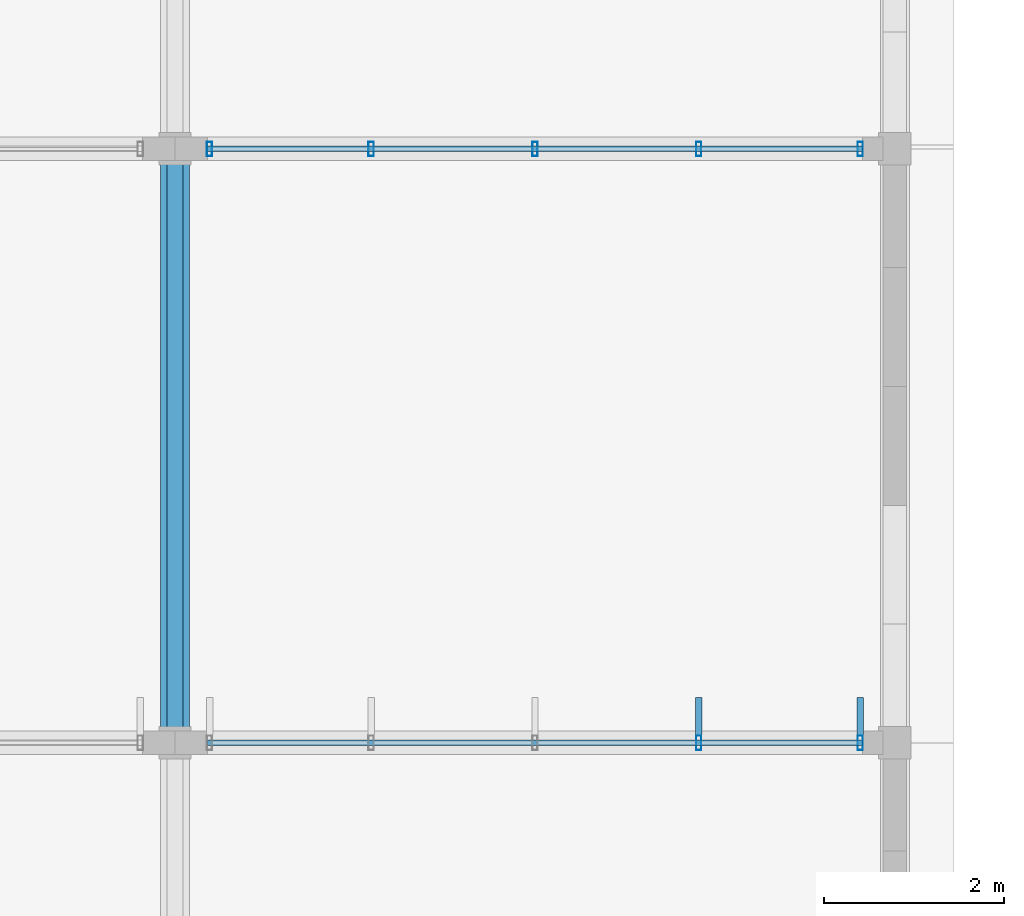
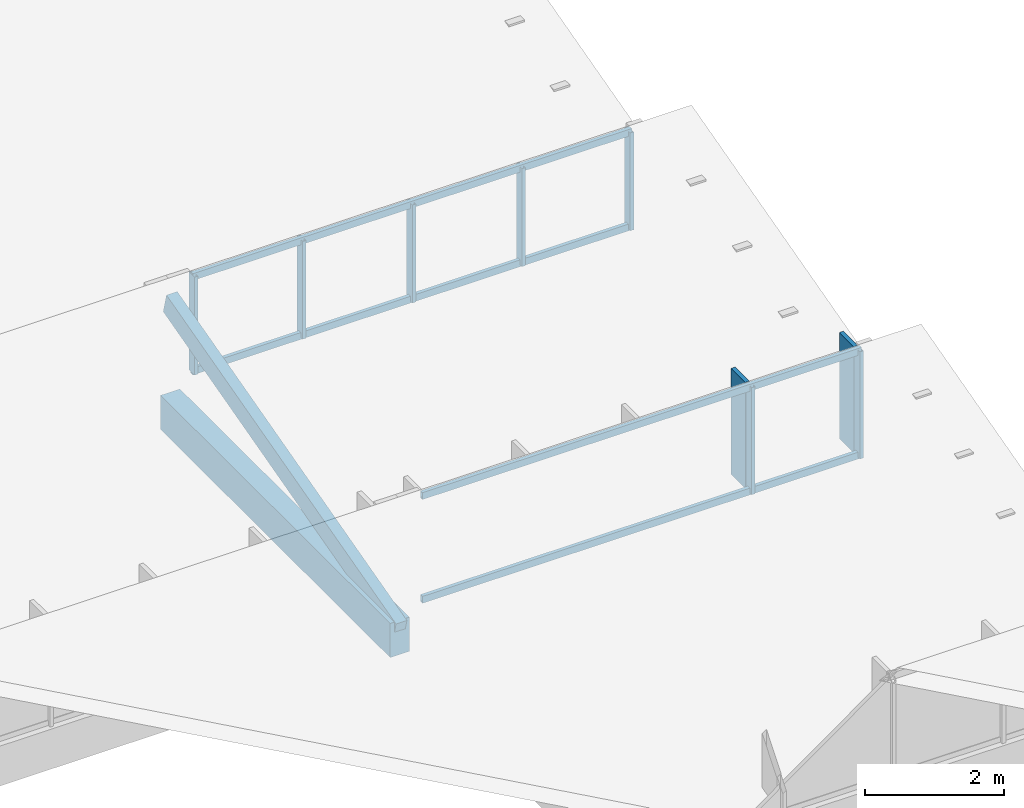
# One storey, part 17 of 94: 15 members, 2 elements without a shape of their own.
"""IFC4 building model written with IfcOpenShell, lengths in metres."""

import ifcopenshell
import ifcopenshell.guid

model = None  # the IFC model being written
_history = None  # IfcOwnerHistory: only IFC2X3 demands one
_inside = {}  # id of a spatial element -> (the spatial element, [elements in it])
_under = {}  # id of a project, library or spatial element -> (it, [spatial elements below it])
_declared = {}  # id of a project -> (the project, [libraries it declares])
_typed = {}  # id of a type object -> (the type object, [elements of that type])
_made_of = {}  # id of a material, layer set ... -> (it, [elements and type objects made of it])


def new_model(schema):
    """Start an empty IFC model of exactly this schema.

    Asked for "IFC4X3", IfcOpenShell would pick the latest addendum, in which some entities
    have other attributes; the version numbers below select the first issue.
    IFC2X3 requires an IfcOwnerHistory on every rooted entity: one is made here for all.
    """
    global model, _history
    if schema == "IFC4X3":
        model = ifcopenshell.file(schema_version=(4, 3, 0, 0))
    else:
        model = ifcopenshell.file(schema=schema)
    _inside.clear()
    _under.clear()
    _declared.clear()
    _typed.clear()
    _made_of.clear()
    _history = None
    if model.schema == "IFC2X3":
        org = make("IfcOrganization", Name="unknown")
        user = make(
            "IfcPersonAndOrganization",
            ThePerson=make("IfcPerson", FamilyName="unknown"),
            TheOrganization=org,
        )
        app = make(
            "IfcApplication",
            ApplicationDeveloper=org,
            Version="unknown",
            ApplicationFullName="unknown",
            ApplicationIdentifier="unknown",
        )
        _history = make(
            "IfcOwnerHistory",
            OwningUser=user,
            OwningApplication=app,
            ChangeAction="ADDED",
            CreationDate=0,
        )
    return model


def make(cls, **values):
    """One entity of the class cls with the attributes given. An attribute that is None is left unset."""
    return model.create_entity(
        cls, **{name: value for name, value in values.items() if value is not None}
    )


def rooted(cls, **values):
    """An entity with a GlobalId (a new one), such as an element, a storey or a relation."""
    return make(cls, GlobalId=ifcopenshell.guid.new(), OwnerHistory=_history, **values)


def si_unit(unit_type, name, prefix=None):
    """IfcSIUnit, for example si_unit("LENGTHUNIT", "METRE", prefix="MILLI")."""
    return make("IfcSIUnit", UnitType=unit_type, Prefix=prefix, Name=name)


def assignment(units):
    """IfcUnitAssignment: the units of a project."""
    return None if units is None else make("IfcUnitAssignment", Units=units)


def point(xyz):
    """IfcCartesianPoint."""
    return None if xyz is None else make("IfcCartesianPoint", Coordinates=xyz)


def direction(xyz):
    """IfcDirection."""
    return None if xyz is None else make("IfcDirection", DirectionRatios=xyz)


def frame(location, z_axis=None, x_axis=None):
    """IfcAxis2Placement3D, a coordinate frame: its origin and axes. An axis left out is left unset."""
    return make(
        "IfcAxis2Placement3D",
        Location=point(location),
        Axis=direction(z_axis),
        RefDirection=direction(x_axis),
    )


def frame_2d(location, x_axis=None):
    """IfcAxis2Placement2D, a coordinate frame in the plane: its origin and x axis."""
    return make(
        "IfcAxis2Placement2D", Location=point(location), RefDirection=direction(x_axis)
    )


def origin():
    """The frame at (0, 0, 0) with its axes left unset."""
    return frame((0.0, 0.0, 0.0))


def origin_2d():
    """The frame at (0, 0) in the plane with its x axis left unset."""
    return frame_2d((0.0, 0.0))


def place(relative_to, where):
    """IfcLocalPlacement: puts the frame where relative to a parent placement (None: the world)."""
    return make(
        "IfcLocalPlacement", PlacementRelTo=relative_to, RelativePlacement=where
    )


def context(
    kind, dimensions, precision=None, world=None, true_north=None, identifier=None
):
    """IfcGeometricRepresentationContext, for example the 3D "Model" context."""
    return make(
        "IfcGeometricRepresentationContext",
        ContextIdentifier=identifier,
        ContextType=kind,
        CoordinateSpaceDimension=dimensions,
        Precision=precision,
        WorldCoordinateSystem=world,
        TrueNorth=true_north,
    )


def subcontext(parent, identifier, kind, view, scale=None):
    """IfcGeometricRepresentationSubContext, for example "Body" below "Model"."""
    return make(
        "IfcGeometricRepresentationSubContext",
        ContextIdentifier=identifier,
        ContextType=kind,
        ParentContext=parent,
        TargetScale=scale,
        TargetView=view,
    )


def project(units=None, contexts=None):
    """IfcProject with its units and contexts."""
    return rooted(
        "IfcProject",
        Name="project",
        RepresentationContexts=contexts,
        UnitsInContext=assignment(units),
    )


def spatial(cls, under=None, at=None, **own):
    """A site, building, storey or space (cls), placed at a placement, below another one or the project."""
    s = rooted(cls, ObjectPlacement=at, **own)
    if under is not None:
        _under.setdefault(under.id(), (under, []))[1].append(s)
    return s


def profile(cls, at=None, kind="AREA", **sizes):
    """A parametric profile (cls). Its sizes go by their IFC names, for example OverallWidth=200.0."""
    return make(cls, ProfileType=kind, Position=at, **sizes)


def rectangle(**sizes):
    """IfcRectangleProfileDef."""
    return profile("IfcRectangleProfileDef", **sizes)


def hollow_rectangle(**sizes):
    """IfcRectangleHollowProfileDef."""
    return profile("IfcRectangleHollowProfileDef", **sizes)


def extrude(swept, where, along, depth):
    """IfcExtrudedAreaSolid: the profile swept, set in the frame where, extruded along a direction by depth."""
    return make(
        "IfcExtrudedAreaSolid",
        SweptArea=swept,
        Position=where,
        ExtrudedDirection=direction(along),
        Depth=depth,
    )


def shape(context_of_items, identifier, shape_type, items):
    """IfcShapeRepresentation: the items that make up one representation, for example the "Body"."""
    return make(
        "IfcShapeRepresentation",
        ContextOfItems=context_of_items,
        RepresentationIdentifier=identifier,
        RepresentationType=shape_type,
        Items=items,
    )


def material(Name=None, Category=None):
    """IfcMaterial."""
    return make("IfcMaterial", Name=Name, Category=Category)


def material_profile(
    of_material, cross_section, Name=None, Category=None, Priority=None
):
    """IfcMaterialProfile: a cross section and its material."""
    return make(
        "IfcMaterialProfile",
        Name=Name,
        Material=of_material,
        Profile=cross_section,
        Priority=Priority,
        Category=Category,
    )


def profile_set(profiles, Name=None, composite=None):
    """IfcMaterialProfileSet."""
    return make(
        "IfcMaterialProfileSet",
        Name=Name,
        MaterialProfiles=profiles,
        CompositeProfile=composite,
    )


def made_of(thing, what):
    """Note that an element or type object is made of a material, layer set ...; save() writes the relation."""
    if what is not None:
        _made_of.setdefault(what.id(), (what, []))[1].append(thing)
    return thing


def type_object(cls, material=None, **own):
    """A type object (cls), such as IfcWallType, which elements share."""
    return made_of(rooted(cls, **own), material)


def element(
    cls,
    number,
    at=None,
    inside=None,
    cuts=None,
    type_object=None,
    material=None,
    context=None,
    identifier="Body",
    shape_type=None,
    held_by="IfcProductDefinitionShape",
    body=None,
    shapes=None,
    **own,
):
    """One element of the class cls, such as IfcWall. Its Tag is "e" and its number.

    at: its placement. inside: the storey or other place that contains it. cuts: it is an
    opening in that element (IfcRelVoidsElement). A single representation is given by context,
    identifier, shape_type and body (its items); several are given by shapes. held_by: the class
    of the entity that holds the representations. save() writes the other relations.
    """
    e = rooted(cls, Tag="e%d" % number, ObjectPlacement=at, **own)
    if body is not None:
        shapes = [shape(context, identifier, shape_type, body)]
    if shapes is not None:
        e.Representation = make(held_by, Representations=shapes)
    if inside is not None:
        _inside.setdefault(inside.id(), (inside, []))[1].append(e)
    if cuts is not None:
        rooted(
            "IfcRelVoidsElement", RelatingBuildingElement=cuts, RelatedOpeningElement=e
        )
    if type_object is not None:
        _typed.setdefault(type_object.id(), (type_object, []))[1].append(e)
    return made_of(e, material)


def aggregate(whole, parts):
    """IfcRelAggregates: a whole, such as a stair, and the parts it consists of."""
    return rooted("IfcRelAggregates", RelatingObject=whole, RelatedObjects=parts)


def save(model, path):
    """Write the relations noted so far, then the file.

    IfcRelAggregates (storeys below a building ...), IfcRelContainedInSpatialStructure (elements
    in a storey), IfcRelDefinesByType, IfcRelAssociatesMaterial and IfcRelDeclares: one each for
    every whole, place, type object, material and project.
    """
    for whole, parts in _under.values():
        aggregate(whole, parts)
    for where, things in _inside.values():
        rooted(
            "IfcRelContainedInSpatialStructure",
            RelatedElements=things,
            RelatingStructure=where,
        )
    for kind, things in _typed.values():
        rooted("IfcRelDefinesByType", RelatedObjects=things, RelatingType=kind)
    for what, things in _made_of.values():
        rooted("IfcRelAssociatesMaterial", RelatedObjects=things, RelatingMaterial=what)
    for by, libraries in _declared.values():
        rooted("IfcRelDeclares", RelatingContext=by, RelatedDefinitions=libraries)
    model.write(path)


model = new_model("IFC4")

# Units and contexts
model_context = context("Model", 3, precision=1e-05, world=origin(), true_north=direction((0.0, 1.0)))
body_context = subcontext(model_context, "Body", "Model", "MODEL_VIEW")
ifc_project = project(units=[si_unit("LENGTHUNIT", "METRE"), si_unit("AREAUNIT", "SQUARE_METRE"), si_unit("VOLUMEUNIT", "CUBIC_METRE"), si_unit("PLANEANGLEUNIT", "RADIAN"), si_unit("MASSUNIT", "GRAM", prefix="KILO")], contexts=[model_context])

# Site, building, storey
site_placement = place(None, origin())
site = spatial("IfcSite", under=ifc_project, at=site_placement, CompositionType="ELEMENT")
building_placement = place(site_placement, origin())
building = spatial("IfcBuilding", under=site, at=building_placement, Name="Chiffa Square Polytechnic", CompositionType="ELEMENT")
storey_placement = place(building_placement, frame((0.0, 0.0, 18.0)))
storey = spatial("IfcBuildingStorey", under=building, at=storey_placement, Name="L04", CompositionType="ELEMENT", Elevation=18.0)

# Curtain wall, members
ifc_material_1 = material(Name="Aluminium EN AW-6060 T66 and glulam shading", Category="wood")
curtain_wall_type_1 = type_object("IfcCurtainWallType", Name="CW-VERT-480X380", PredefinedType="USERDEFINED", material=ifc_material_1)
curtain_wall_1_placement = place(storey_placement, origin())
curtain_wall_1 = element("IfcCurtainWall", 1, at=curtain_wall_1_placement, inside=storey, type_object=curtain_wall_type_1, Name="Curtain wall CW-V6-SAW2-4", ObjectType="CURTAIN WALL", PredefinedType="USERDEFINED")
ifc_material_2 = material(Name="Aluminium EN AW-6060 T66", Category="aluminium")
ifc_material_profile_1 = material_profile(ifc_material_2, hollow_rectangle(XDim=0.06005859375, YDim=0.159912109375, WallThickness=0.00390625, at=origin_2d()), Name="ALU 60x160x4")
ifc_profile_set_1 = profile_set([ifc_material_profile_1], Name="Aluminium EN AW-6060 T66")
member_type_1 = type_object("IfcMemberType", Name="CWM-ALU-65X150", PredefinedType="MULLION", material=ifc_profile_set_1)
member_1_placement = place(storey_placement, frame((31.614990234375, 51.0, 0.699951171875), z_axis=(0.0, 0.0, 1.0), x_axis=(1.0, 0.0, 0.0)))
member_1 = element("IfcMember", 2, at=member_1_placement, type_object=member_type_1, Name="Curtain wall mullion CW-V6-SAW2-4-M00", PredefinedType="MULLION", context=body_context, shape_type="SweptSolid", body=[
    extrude(hollow_rectangle(XDim=0.06005859375, YDim=0.159912109375, WallThickness=0.00390625, at=origin_2d()), origin(), (0.0, 0.0, 1.0), 1.879150390625),
])
member_2_placement = place(storey_placement, frame((29.820068359375, 51.0, 0.699951171875), z_axis=(0.0, 0.0, 1.0), x_axis=(1.0, 0.0, 0.0)))
member_2 = element("IfcMember", 3, at=member_2_placement, type_object=member_type_1, Name="Curtain wall mullion CW-V6-SAW2-4-M01", PredefinedType="MULLION", context=body_context, shape_type="SweptSolid", body=[
    extrude(hollow_rectangle(XDim=0.06005859375, YDim=0.159912109375, WallThickness=0.00390625, at=origin_2d()), origin(), (0.0, 0.0, 1.0), 1.879150390625),
])

curtain_wall_type_2 = type_object("IfcCurtainWallType", Name="CW-VERT-540X440", PredefinedType="USERDEFINED", material=ifc_material_1)
curtain_wall_2_placement = place(storey_placement, origin())
curtain_wall_2 = element("IfcCurtainWall", 4, at=curtain_wall_2_placement, inside=storey, type_object=curtain_wall_type_2, Name="Curtain wall CW-V6-SAW3-4", ObjectType="CURTAIN WALL", PredefinedType="USERDEFINED")
member_3_placement = place(storey_placement, frame((31.614990234375, 57.60009765625, 0.699951171875), z_axis=(0.0, 0.0, 1.0), x_axis=(1.0, 0.0, 0.0)))
member_3 = element("IfcMember", 5, at=member_3_placement, type_object=member_type_1, Name="Curtain wall mullion CW-V6-SAW3-4-M00", PredefinedType="MULLION", context=body_context, shape_type="SweptSolid", body=[
    extrude(hollow_rectangle(XDim=0.06005859375, YDim=0.159912109375, WallThickness=0.00390625, at=origin_2d()), origin(), (0.0, 0.0, 1.0), 1.718017578125),
])
member_4_placement = place(storey_placement, frame((29.820068359375, 57.60009765625, 0.699951171875), z_axis=(0.0, 0.0, 1.0), x_axis=(1.0, 0.0, 0.0)))
member_4 = element("IfcMember", 6, at=member_4_placement, type_object=member_type_1, Name="Curtain wall mullion CW-V6-SAW3-4-M01", PredefinedType="MULLION", context=body_context, shape_type="SweptSolid", body=[
    extrude(hollow_rectangle(XDim=0.06005859375, YDim=0.159912109375, WallThickness=0.00390625, at=origin_2d()), origin(), (0.0, 0.0, 1.0), 1.718017578125),
])
member_5_placement = place(storey_placement, frame((28.0, 57.60009765625, 0.699951171875), z_axis=(0.0, 0.0, 1.0), x_axis=(1.0, 0.0, 0.0)))
member_5 = element("IfcMember", 7, at=member_5_placement, type_object=member_type_1, Name="Curtain wall mullion CW-V6-SAW3-4-M02", PredefinedType="MULLION", context=body_context, shape_type="SweptSolid", body=[
    extrude(hollow_rectangle(XDim=0.06005859375, YDim=0.159912109375, WallThickness=0.00390625, at=origin_2d()), origin(), (0.0, 0.0, 1.0), 1.718017578125),
])
member_6_placement = place(storey_placement, frame((26.179931640625, 57.60009765625, 0.699951171875), z_axis=(0.0, 0.0, 1.0), x_axis=(1.0, 0.0, 0.0)))
member_6 = element("IfcMember", 8, at=member_6_placement, type_object=member_type_1, Name="Curtain wall mullion CW-V6-SAW3-4-M03", PredefinedType="MULLION", context=body_context, shape_type="SweptSolid", body=[
    extrude(hollow_rectangle(XDim=0.06005859375, YDim=0.159912109375, WallThickness=0.00390625, at=origin_2d()), origin(), (0.0, 0.0, 1.0), 1.718017578125),
])
member_7_placement = place(storey_placement, frame((24.385009765625, 57.60009765625, 0.699951171875), z_axis=(0.0, 0.0, 1.0), x_axis=(1.0, 0.0, 0.0)))
member_7 = element("IfcMember", 9, at=member_7_placement, type_object=member_type_1, Name="Curtain wall mullion CW-V6-SAW3-4-M04", PredefinedType="MULLION", context=body_context, shape_type="SweptSolid", body=[
    extrude(hollow_rectangle(XDim=0.06005859375, YDim=0.159912109375, WallThickness=0.00390625, at=origin_2d()), origin(), (0.0, 0.0, 1.0), 1.718017578125),
])

# Member
ifc_material_3 = material(Name="Glulam GL28h", Category="wood")
ifc_material_profile_2 = material_profile(ifc_material_3, rectangle(XDim=0.070068359375, YDim=0.419921875, at=origin_2d()), Name="GL28h 70x420")
ifc_profile_set_2 = profile_set([ifc_material_profile_2], Name="Glulam GL28h")
member_type_2 = type_object("IfcMemberType", Name="CWM-GL-70X420", PredefinedType="MULLION", material=ifc_profile_set_2)
member_8_placement = place(storey_placement, frame((31.614990234375, 51.2919921875, 0.7099609375), z_axis=(0.0, 0.0, 1.0), x_axis=(-1.0, 0.0, 0.0)))
member_8 = element("IfcMember", 10, at=member_8_placement, type_object=member_type_2, Name="Exterior glulam solar fin CW-V6-SAW2-4-FN00", PredefinedType="MULLION", context=body_context, shape_type="SweptSolid", body=[
    extrude(rectangle(XDim=0.070068359375, YDim=0.419921875, at=origin_2d()), origin(), (0.0, 0.0, 1.0), 1.859130859375),
])

member_9_placement = place(storey_placement, frame((29.820068359375, 51.2919921875, 0.7099609375), z_axis=(0.0, 0.0, 1.0), x_axis=(-1.0, 0.0, 0.0)))
member_9 = element("IfcMember", 11, at=member_9_placement, type_object=member_type_2, Name="Exterior glulam solar fin CW-V6-SAW2-4-FN01", PredefinedType="MULLION", context=body_context, shape_type="SweptSolid", body=[
    extrude(rectangle(XDim=0.070068359375, YDim=0.419921875, at=origin_2d()), origin(), (0.0, 0.0, 1.0), 1.859130859375),
])

ifc_material_profile_3 = material_profile(ifc_material_2, hollow_rectangle(XDim=0.06005859375, YDim=0.1201171875, WallThickness=0.00390625, at=origin_2d()), Name="ALU 60x120x4")
ifc_profile_set_3 = profile_set([ifc_material_profile_3], Name="Aluminium EN AW-6060 T66")
member_type_3 = type_object("IfcMemberType", Name="CWT-ALU-65X120", PredefinedType="USERDEFINED", material=ifc_profile_set_3)
member_10_placement = place(storey_placement, frame((31.64208984375, 51.0, 0.72998046875), z_axis=(-1.0, 0.0, 0.0), x_axis=(0.0, -1.0, 0.0)))
member_10 = element("IfcMember", 12, at=member_10_placement, type_object=member_type_3, Name="Curtain wall transom CW-V6-SAW2-4-T01", ObjectType="TRANSOM", PredefinedType="USERDEFINED", context=body_context, shape_type="SweptSolid", body=[
    extrude(hollow_rectangle(XDim=0.06005859375, YDim=0.1201171875, WallThickness=0.00390625, at=origin_2d()), origin(), (0.0, 0.0, 1.0), 7.2841796875),
])

member_11_placement = place(storey_placement, frame((31.64208984375, 51.0, 2.549072265625), z_axis=(-1.0, 0.0, 0.0), x_axis=(0.0, -1.0, 0.0)))
member_11 = element("IfcMember", 13, at=member_11_placement, type_object=member_type_3, Name="Curtain wall transom CW-V6-SAW2-4-T02", ObjectType="TRANSOM", PredefinedType="USERDEFINED", context=body_context, shape_type="SweptSolid", body=[
    extrude(hollow_rectangle(XDim=0.06005859375, YDim=0.1201171875, WallThickness=0.00390625, at=origin_2d()), origin(), (0.0, 0.0, 1.0), 7.2841796875),
])

aggregate(curtain_wall_1, [member_1, member_8, member_2, member_9, member_10, member_11])

member_12_placement = place(storey_placement, frame((31.64208984375, 57.60009765625, 0.72998046875), z_axis=(-1.0, 0.0, 0.0), x_axis=(0.0, -1.0, 0.0)))
member_12 = element("IfcMember", 14, at=member_12_placement, type_object=member_type_3, Name="Curtain wall transom CW-V6-SAW3-4-T01", ObjectType="TRANSOM", PredefinedType="USERDEFINED", context=body_context, shape_type="SweptSolid", body=[
    extrude(hollow_rectangle(XDim=0.06005859375, YDim=0.1201171875, WallThickness=0.00390625, at=origin_2d()), origin(), (0.0, 0.0, 1.0), 7.2841796875),
])

member_13_placement = place(storey_placement, frame((31.64208984375, 57.60009765625, 2.387939453125), z_axis=(-1.0, 0.0, 0.0), x_axis=(0.0, -1.0, 0.0)))
member_13 = element("IfcMember", 15, at=member_13_placement, type_object=member_type_3, Name="Curtain wall transom CW-V6-SAW3-4-T02", ObjectType="TRANSOM", PredefinedType="USERDEFINED", context=body_context, shape_type="SweptSolid", body=[
    extrude(hollow_rectangle(XDim=0.06005859375, YDim=0.1201171875, WallThickness=0.00390625, at=origin_2d()), origin(), (0.0, 0.0, 1.0), 7.2841796875),
])

aggregate(curtain_wall_2, [member_3, member_4, member_5, member_6, member_7, member_12, member_13])

# Members
ifc_material_4 = material(Name="Glulam GL32c", Category="wood")
ifc_material_profile_4 = material_profile(ifc_material_4, rectangle(XDim=0.320068359375, YDim=0.60009765625, at=origin_2d()), Name="GL32c 320x600")
ifc_profile_set_4 = profile_set([ifc_material_profile_4], Name="Glulam GL32c")
member_type_4 = type_object("IfcMemberType", Name="MEM-CHORD-GL320", PredefinedType="CHORD", material=ifc_profile_set_4)
member_14_placement = place(storey_placement, frame((24.0, 51.0, 0.179931640625), z_axis=(0.0, 1.0, 0.0), x_axis=(-1.0, 0.0, 0.0)))
element("IfcMember", 16, at=member_14_placement, inside=storey, type_object=member_type_4, Name="Studio sawtooth tie chord TCB-V6-SAW-014", PredefinedType="CHORD", context=body_context, shape_type="SweptSolid", body=[
    extrude(rectangle(XDim=0.320068359375, YDim=0.60009765625, at=origin_2d()), origin(), (0.0, 0.0, 1.0), 6.60009765625),
])
ifc_material_profile_5 = material_profile(ifc_material_3, rectangle(XDim=0.179931640625, YDim=0.360107421875, at=origin_2d()), Name="GL28h 180x360")
ifc_profile_set_5 = profile_set([ifc_material_profile_5], Name="Glulam GL28h")
member_type_5 = type_object("IfcMemberType", Name="MEM-RFT-GL180", PredefinedType="RAFTER", material=ifc_profile_set_5)
member_15_placement = place(storey_placement, frame((24.0, 51.0, 0.300048828125), z_axis=(0.0, 0.965941353683, 0.258761089124), x_axis=(-1.0, 0.0, 0.0)))
element("IfcMember", 17, at=member_15_placement, inside=storey, type_object=member_type_5, Name="Studio sawtooth glulam rafter RF-V6-L04-014", PredefinedType="RAFTER", context=body_context, shape_type="SweptSolid", body=[
    extrude(rectangle(XDim=0.179931640625, YDim=0.360107421875, at=origin_2d()), origin(), (0.0, 0.0, 1.0), 6.832763671875),
])

save(model, "model.ifc")
